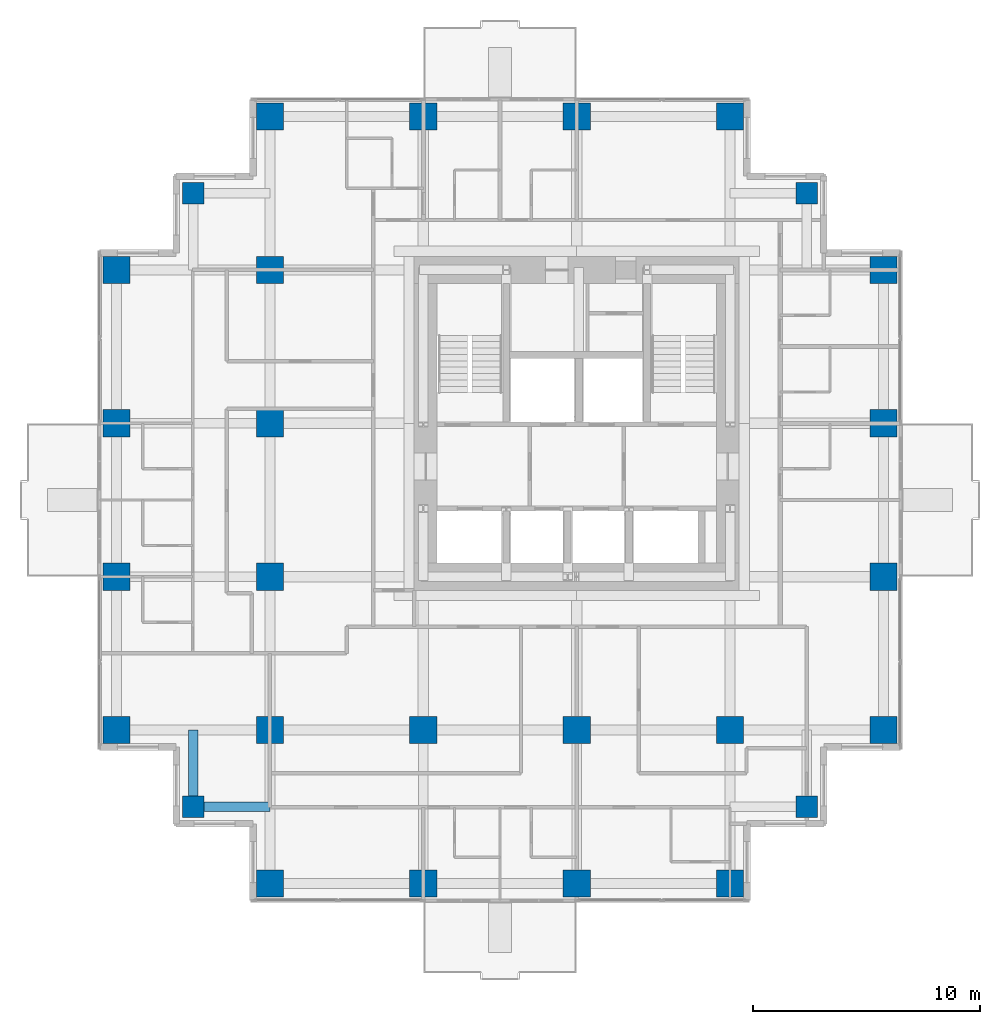
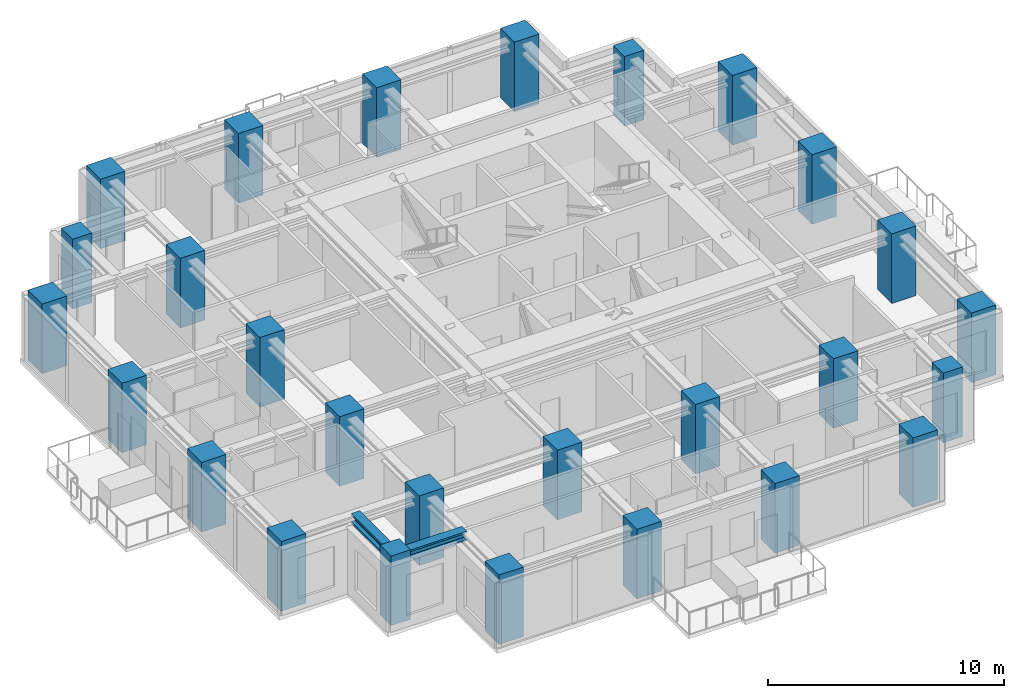
# One storey, part 1 of 10: 27 columns, 2 beams.
"""IFC4 building model written with IfcOpenShell, lengths in metres."""

from ifc_helpers import new_model, si_unit, direction, frame, origin, origin_2d, place, context, subcontext, project, spatial, rectangle, i_section, extrude, material, material_profile, profile_set, type_object, element, save


model = new_model("IFC4")

# Units and contexts
model_context = context("Model", 3, precision=1e-05, world=origin(), true_north=direction((0.0, 1.0)))
body_context = subcontext(model_context, "Body", "Model", "MODEL_VIEW")
ifc_project = project(units=[si_unit("LENGTHUNIT", "METRE"), si_unit("AREAUNIT", "SQUARE_METRE"), si_unit("VOLUMEUNIT", "CUBIC_METRE"), si_unit("PLANEANGLEUNIT", "RADIAN"), si_unit("MASSUNIT", "GRAM", prefix="KILO")], contexts=[model_context])

# Site, building, storey
site_placement = place(None, origin())
site = spatial("IfcSite", under=ifc_project, at=site_placement, CompositionType="ELEMENT")
building_placement = place(site_placement, origin())
building = spatial("IfcBuilding", under=site, at=building_placement, Name="Nyansa Garden Tower", CompositionType="ELEMENT")
storey_placement = place(building_placement, frame((0.0, 0.0, 192.60009765625)))
storey = spatial("IfcBuildingStorey", under=building, at=storey_placement, Name="L52", CompositionType="ELEMENT", Elevation=192.60009765625)

# Columns
ifc_material_1 = material(Name="Concrete C70/85", Category="concrete")
ifc_material_profile_1 = material_profile(ifc_material_1, rectangle(XDim=1.199951171875, YDim=1.199951171875, at=origin_2d()), Name="RC 1200x1200")
ifc_profile_set_1 = profile_set([ifc_material_profile_1], Name="Concrete C70/85")
column_type_1 = type_object("IfcColumnType", Name="Column C120 RC 1200x1200", PredefinedType="COLUMN", material=ifc_profile_set_1)
for number, where, z_axis, x_axis, name in (
    (1, (0.0, 6.75, 0.0), (0.0, 0.0, 1.0), (1.0, 0.0, 0.0), "Column 2/E L52"),
    (2, (0.0, 13.5, 0.0), (0.0, 0.0, 1.0), (1.0, 0.0, 0.0), "Column 2/F L52"),
    (3, (0.0, 20.25, 0.0), (0.0, 0.0, 1.0), (1.0, 0.0, 0.0), "Column 2/G L52"),
    (4, (0.0, 27.0, 0.0), (0.0, 0.0, 1.0), (1.0, 0.0, 0.0), "Column 2/H L52"),
    (5, (6.75, 0.0, 0.0), (0.0, 0.0, 1.0), (1.0, 0.0, 0.0), "Column 3/D L52"),
    (6, (6.75, 6.75, 0.0), (0.0, 0.0, 1.0), (1.0, 0.0, 0.0), "Column 3/E L52"),
    (7, (6.75, 13.5, 0.0), (0.0, 0.0, 1.0), (1.0, 0.0, 0.0), "Column 3/F L52"),
    (8, (6.75, 20.25, 0.0), (0.0, 0.0, 1.0), (1.0, 0.0, 0.0), "Column 3/G L52"),
    (9, (6.75, 27.0, 0.0), (0.0, 0.0, 1.0), (1.0, 0.0, 0.0), "Column 3/H L52"),
    (10, (6.75, 33.75, 0.0), (0.0, 0.0, 1.0), (1.0, 0.0, 0.0), "Column 3/J L52"),
    (11, (13.5, 0.0, 0.0), (0.0, 0.0, 1.0), (1.0, 0.0, 0.0), "Column 4/D L52"),
    (12, (13.5, 6.75, 0.0), (0.0, 0.0, 1.0), (1.0, 0.0, 0.0), "Column 4/E L52"),
    (13, (13.5, 33.75, 0.0), (0.0, 0.0, 1.0), (1.0, 0.0, 0.0), "Column 4/J L52"),
    (14, (20.25, 0.0, 0.0), (0.0, 0.0, 1.0), (1.0, 0.0, 0.0), "Column 5/D L52"),
    (15, (20.25, 6.75, 0.0), (0.0, 0.0, 1.0), (1.0, 0.0, 0.0), "Column 5/E L52"),
    (16, (20.25, 33.75, 0.0), (0.0, 0.0, 1.0), (1.0, 0.0, 0.0), "Column 5/J L52"),
    (17, (27.0, 0.0, 0.0), (0.0, 0.0, 1.0), (1.0, 0.0, 0.0), "Column 6/D L52"),
    (18, (27.0, 6.75, 0.0), (0.0, 0.0, 1.0), (1.0, 0.0, 0.0), "Column 6/E L52"),
    (19, (27.0, 33.75, 0.0), (0.0, 0.0, 1.0), (1.0, 0.0, 0.0), "Column 6/J L52"),
    (20, (33.75, 6.75, 0.0), (0.0, 0.0, 1.0), (1.0, 0.0, 0.0), "Column 7/E L52"),
    (21, (33.75, 13.5, 0.0), (0.0, 0.0, 1.0), (1.0, 0.0, 0.0), "Column 7/F L52"),
    (22, (33.75, 20.25, 0.0), (0.0, 0.0, 1.0), (1.0, 0.0, 0.0), "Column 7/G L52"),
    (23, (33.75, 27.0, 0.0), (0.0, 0.0, 1.0), (1.0, 0.0, 0.0), "Column 7/H L52"),
):
    element("IfcColumn", number, at=place(storey_placement, frame(where, z_axis=z_axis, x_axis=x_axis)), inside=storey, type_object=column_type_1, Name=name, PredefinedType="COLUMN", context=body_context, shape_type="SweptSolid", body=[
        extrude(rectangle(XDim=1.199951171875, YDim=1.199951171875, at=origin_2d()), origin(), (0.0, 0.0, 1.0), 3.599853515625),
    ])
ifc_material_2 = material(Name="Concrete C70/85", Category="concrete")
ifc_material_profile_2 = material_profile(ifc_material_2, rectangle(XDim=0.949951171875, YDim=0.949951171875, at=origin_2d()), Name="RC 950x950")
ifc_profile_set_2 = profile_set([ifc_material_profile_2], Name="Concrete C70/85")
column_type_2 = type_object("IfcColumnType", Name="Column C95 RC 950x950", PredefinedType="COLUMN", material=ifc_profile_set_2)
for number, where, z_axis, x_axis, name in (
    (24, (3.375, 3.375, 0.0), (0.0, 0.0, 1.0), (1.0, 0.0, 0.0), "Column x3.375/y3.375 L52"),
    (25, (3.375, 30.375, 0.0), (0.0, 0.0, 1.0), (1.0, 0.0, 0.0), "Column x3.375/y30.375 L52"),
    (26, (30.375, 3.375, 0.0), (0.0, 0.0, 1.0), (1.0, 0.0, 0.0), "Column x30.375/y3.375 L52"),
    (27, (30.375, 30.375, 0.0), (0.0, 0.0, 1.0), (1.0, 0.0, 0.0), "Column x30.375/y30.375 L52"),
):
    element("IfcColumn", number, at=place(storey_placement, frame(where, z_axis=z_axis, x_axis=x_axis)), inside=storey, type_object=column_type_2, Name=name, PredefinedType="COLUMN", context=body_context, shape_type="SweptSolid", body=[
        extrude(rectangle(XDim=0.949951171875, YDim=0.949951171875, at=origin_2d()), origin(), (0.0, 0.0, 1.0), 3.599853515625),
    ])

# Beams
ifc_material_3 = material(Name="Steel S355", Category="steel")
ifc_material_profile_3 = material_profile(ifc_material_3, i_section(OverallWidth=0.431884765625, OverallDepth=0.498046875, WebThickness=0.0556640625, FlangeThickness=0.0888671875, FilletRadius=0.014892578125, at=origin_2d()), Name="HD 400x744")
ifc_profile_set_3 = profile_set([ifc_material_profile_3], Name="Steel S355")
beam_type = type_object("IfcBeamType", Name="Steel beam SSB1-744 HD 400x744", PredefinedType="BEAM", material=ifc_profile_set_3)
for number, where, z_axis, x_axis, name in (
    (28, (3.375, 3.375, 3.1259765625), (0.0, 1.0, 0.0), (-1.0, 0.0, 0.0), "Steel step beam 3.375/3.375 L53"),
    (29, (3.375, 3.375, 3.1259765625), (1.0, 0.0, 0.0), (0.0, 1.0, 0.0), "Steel step beam 3.375/3.375 L53"),
):
    element("IfcBeam", number, at=place(storey_placement, frame(where, z_axis=z_axis, x_axis=x_axis)), inside=storey, type_object=beam_type, Name=name, PredefinedType="BEAM", context=body_context, shape_type="SweptSolid", body=[
        extrude(i_section(OverallWidth=0.431884765625, OverallDepth=0.498046875, WebThickness=0.0556640625, FlangeThickness=0.0888671875, FilletRadius=0.014892578125, at=origin_2d()), origin(), (0.0, 0.0, 1.0), 3.375),
    ])

save(model, "model.ifc")
